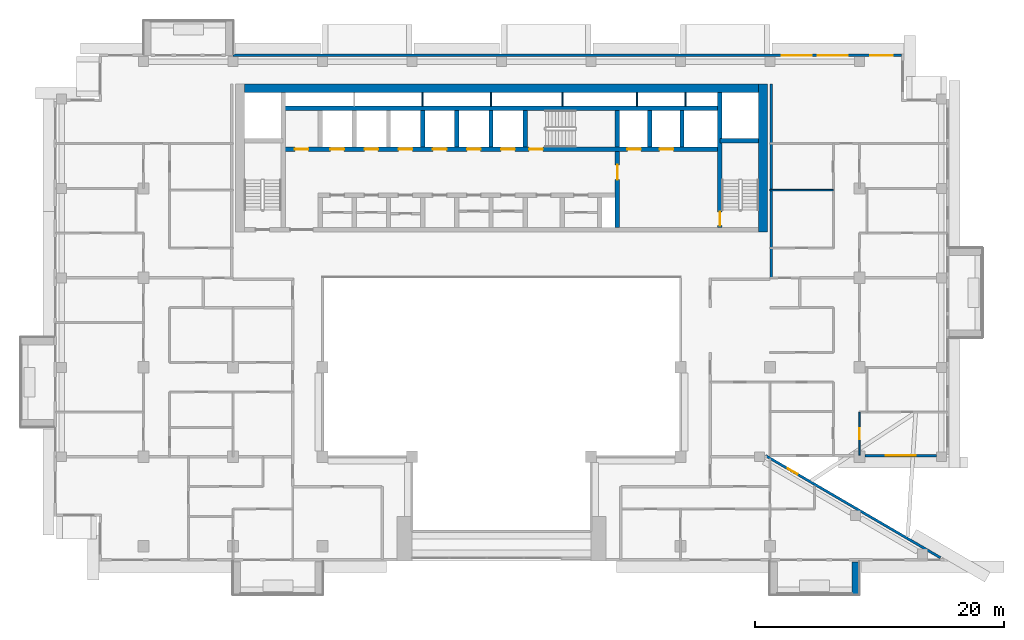
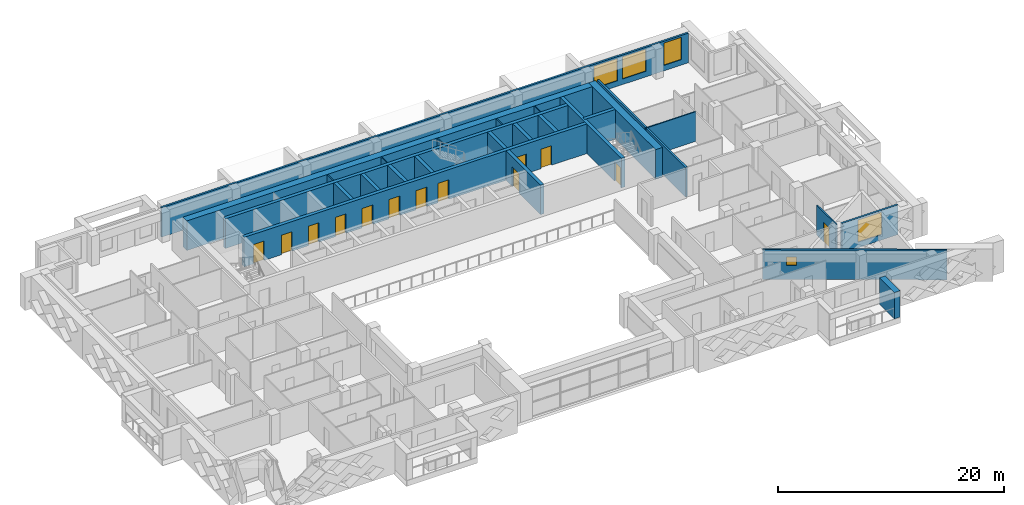
# One storey, part 11 of 20: 26 walls, 13 doors, 5 windows, 18 openings.
"""IFC4 building model written with IfcOpenShell, lengths in metres."""

from ifc_helpers import new_model, si_unit, direction, frame, frame_2d, origin, place, context, subcontext, project, spatial, rectangle, extrude, material, layer, layer_set, type_object, element, fill, save


model = new_model("IFC4")

# Units and contexts
model_context = context("Model", 3, precision=1e-05, world=origin(), true_north=direction((0.0, 1.0)))
body_context = subcontext(model_context, "Body", "Model", "MODEL_VIEW")
ifc_project = project(units=[si_unit("LENGTHUNIT", "METRE"), si_unit("AREAUNIT", "SQUARE_METRE"), si_unit("VOLUMEUNIT", "CUBIC_METRE"), si_unit("PLANEANGLEUNIT", "RADIAN"), si_unit("MASSUNIT", "GRAM", prefix="KILO")], contexts=[model_context])

# Site, building, storey
site_placement = place(None, origin())
site = spatial("IfcSite", under=ifc_project, at=site_placement, CompositionType="ELEMENT")
building_placement = place(site_placement, origin())
building = spatial("IfcBuilding", under=site, at=building_placement, Name="Saffron Iwan Residences", CompositionType="ELEMENT")
storey_placement = place(building_placement, frame((0.0, 0.0, 199.0)))
storey = spatial("IfcBuildingStorey", under=building, at=storey_placement, Name="L53", CompositionType="ELEMENT", Elevation=199.0)

# Wall
ifc_material_1 = material(Name="Concrete C50/60 white painted", Category="concrete")
ifc_layer_1 = layer(ifc_material_1, 0.60009765625)
ifc_layer_set_1 = layer_set([ifc_layer_1], Name="Concrete C50/60 white painted")
wall_type_1 = type_object("IfcWallType", Name="BALCONY FIN 600", PredefinedType="SOLIDWALL", material=ifc_layer_set_1)
wall_1_placement = place(storey_placement, frame((78.89990234375, 39.550048828125, 0.0), z_axis=(0.0, 0.0, 1.0), x_axis=(0.0, -1.0, 0.0)))
element("IfcWall", 1, at=wall_1_placement, inside=storey, type_object=wall_type_1, Name="Balcony fin L53 11-1b", PredefinedType="SOLIDWALL", context=body_context, shape_type="SweptSolid", body=[
    extrude(rectangle(XDim=2.650146484375, YDim=0.60009765625, at=frame_2d((1.3251953125, 0.0))), origin(), (0.0, 0.0, 1.0), 2.85009765625),
])

# Wall, opening, window
ifc_material_2 = material(Name="Concrete C40/50", Category="concrete")
ifc_layer_2 = layer(ifc_material_2, 0.199951171875)
ifc_layer_set_2 = layer_set([ifc_layer_2], Name="Concrete C40/50")
wall_type_2 = type_object("IfcWallType", Name="EXTERNAL WALL 200", PredefinedType="SOLIDWALL", material=ifc_layer_set_2)
wall_2_placement = place(storey_placement, frame((85.71923828125, 39.88134765625, 0.0), z_axis=(0.0, 0.0, 1.0), x_axis=(-0.86377618652, 0.503875678716, 0.0)))
wall_2 = element("IfcWall", 2, at=wall_2_placement, inside=storey, type_object=wall_type_2, Name="External wall L53 F0.0", PredefinedType="SOLIDWALL", context=body_context, shape_type="SweptSolid", body=[
    extrude(rectangle(XDim=16.31103515625, YDim=0.199951171875, at=frame_2d((8.155517578125, 0.0))), origin(), (0.0, 0.0, 1.0), 3.199951171875),
])
opening_1_placement = place(wall_2_placement, frame((13.32568359375, 0.0, 1.5)))
opening_1 = element("IfcOpeningElement", 3, at=opening_1_placement, cuts=wall_2, Name="Opening W6", PredefinedType="OPENING", context=body_context, shape_type="SweptSolid", body=[
    extrude(rectangle(XDim=0.89990234375, YDim=0.89990234375, at=frame_2d((0.449951171875, 0.449951171875))), frame((0.0, 0.10986328125, 0.0), z_axis=(0.0, -1.0, 0.0), x_axis=(1.0, 0.0, 0.0)), (0.0, 0.0, 1.0), 0.219970703125),
])
ifc_material_3 = material(Name="Clear glass, laminated double glazed", Category="glass")
window_type_1 = type_object("IfcWindowType", Name="WINDOW 900 x 900 BATH", PartitioningType="SINGLE_PANEL", PredefinedType="WINDOW", material=ifc_material_3)
window_1_placement = place(opening_1_placement, origin())
window_1 = element("IfcWindow", 4, at=window_1_placement, inside=storey, type_object=window_type_1, Name="Window L53 F0.0", OverallHeight=0.89990234375, OverallWidth=0.89990234375, PartitioningType="SINGLE_PANEL", PredefinedType="WINDOW", context=body_context, shape_type="SweptSolid", body=[
    extrude(rectangle(XDim=0.89990234375, YDim=0.89990234375, at=frame_2d((0.449951171875, 0.449951171875))), frame((0.0, 0.030029296875, 0.0), z_axis=(0.0, -1.0, 0.0), x_axis=(1.0, 0.0, 0.0)), (0.0, 0.0, 1.0), 0.06005859375),
])
fill(opening_1, window_1)

wall_3_placement = place(storey_placement, frame((79.64990234375, 48.10009765625, 0.0), z_axis=(0.0, 0.0, 1.0), x_axis=(1.0, 0.0, 0.0)))
wall_3 = element("IfcWall", 5, at=wall_3_placement, inside=storey, type_object=wall_type_2, Name="External wall L53 F1.1", PredefinedType="SOLIDWALL", context=body_context, shape_type="SweptSolid", body=[
    extrude(rectangle(XDim=5.75, YDim=0.199951171875, at=frame_2d((2.875, 0.0))), origin(), (0.0, 0.0, 1.0), 3.199951171875),
])
opening_2_placement = place(wall_3_placement, frame((1.675048828125, 0.0, 0.60009765625)))
opening_2 = element("IfcOpeningElement", 6, at=opening_2_placement, cuts=wall_3, Name="Opening W1", PredefinedType="OPENING", context=body_context, shape_type="SweptSolid", body=[
    extrude(rectangle(XDim=2.39990234375, YDim=2.39990234375, at=frame_2d((1.199951171875, 1.199951171875))), frame((0.0, 0.10986328125, 0.0), z_axis=(0.0, -1.0, 0.0), x_axis=(1.0, 0.0, 0.0)), (0.0, 0.0, 1.0), 0.219970703125),
])
window_type_2 = type_object("IfcWindowType", Name="WINDOW 2400 x 2400", PartitioningType="DOUBLE_PANEL_VERTICAL", PredefinedType="WINDOW", material=ifc_material_3)
window_2_placement = place(opening_2_placement, origin())
window_2 = element("IfcWindow", 7, at=window_2_placement, inside=storey, type_object=window_type_2, Name="Window L53 F1.0", OverallHeight=2.39990234375, OverallWidth=2.39990234375, PartitioningType="DOUBLE_PANEL_VERTICAL", PredefinedType="WINDOW", context=body_context, shape_type="SweptSolid", body=[
    extrude(rectangle(XDim=2.39990234375, YDim=2.39990234375, at=frame_2d((1.199951171875, 1.199951171875))), frame((0.0, 0.030029296875, 0.0), z_axis=(0.0, -1.0, 0.0), x_axis=(1.0, 0.0, 0.0)), (0.0, 0.0, 1.0), 0.06005859375),
])
fill(opening_2, window_2)

# Wall, openings, windows
wall_4_placement = place(storey_placement, frame((82.60009765625, 80.300048828125, 0.0), z_axis=(0.0, 0.0, 1.0), x_axis=(-1.0, 0.0, 0.0)))
wall_4 = element("IfcWall", 8, at=wall_4_placement, inside=storey, type_object=wall_type_2, Name="External wall L53 F5.0", PredefinedType="SOLIDWALL", context=body_context, shape_type="SweptSolid", body=[
    extrude(rectangle(XDim=53.800048828125, YDim=0.199951171875, at=frame_2d((26.89990234375, 0.0))), origin(), (0.0, 0.0, 1.0), 3.199951171875),
])
opening_3_placement = place(wall_4_placement, frame((0.72509765625, 0.0, 0.60009765625)))
opening_3 = element("IfcOpeningElement", 9, at=opening_3_placement, cuts=wall_4, Name="Opening W8", PredefinedType="OPENING", context=body_context, shape_type="SweptSolid", body=[
    extrude(rectangle(XDim=1.800048828125, YDim=2.39990234375, at=frame_2d((0.89990234375, 1.199951171875))), frame((0.0, 0.10986328125, 0.0), z_axis=(0.0, -1.0, 0.0), x_axis=(1.0, 0.0, 0.0)), (0.0, 0.0, 1.0), 0.219970703125),
])
opening_4_placement = place(wall_4_placement, frame((4.35009765625, 0.0, 0.60009765625)))
opening_4 = element("IfcOpeningElement", 10, at=opening_4_placement, cuts=wall_4, Name="Opening W1", PredefinedType="OPENING", context=body_context, shape_type="SweptSolid", body=[
    extrude(rectangle(XDim=2.39990234375, YDim=2.39990234375, at=frame_2d((1.199951171875, 1.199951171875))), frame((0.0, 0.10986328125, 0.0), z_axis=(0.0, -1.0, 0.0), x_axis=(1.0, 0.0, 0.0)), (0.0, 0.0, 1.0), 0.219970703125),
])
opening_5_placement = place(wall_4_placement, frame((7.25, 0.0, 0.60009765625)))
opening_5 = element("IfcOpeningElement", 11, at=opening_5_placement, cuts=wall_4, Name="Opening W1", PredefinedType="OPENING", context=body_context, shape_type="SweptSolid", body=[
    extrude(rectangle(XDim=2.39990234375, YDim=2.39990234375, at=frame_2d((1.199951171875, 1.199951171875))), frame((0.0, 0.10986328125, 0.0), z_axis=(0.0, -1.0, 0.0), x_axis=(1.0, 0.0, 0.0)), (0.0, 0.0, 1.0), 0.219970703125),
])
window_type_3 = type_object("IfcWindowType", Name="WINDOW 1800 x 2400", PartitioningType="DOUBLE_PANEL_VERTICAL", PredefinedType="WINDOW", material=ifc_material_3)
window_3_placement = place(opening_3_placement, origin())
window_3 = element("IfcWindow", 12, at=window_3_placement, inside=storey, type_object=window_type_3, Name="Window L53 F5.0", OverallHeight=2.39990234375, OverallWidth=1.800048828125, PartitioningType="DOUBLE_PANEL_VERTICAL", PredefinedType="WINDOW", context=body_context, shape_type="SweptSolid", body=[
    extrude(rectangle(XDim=1.800048828125, YDim=2.39990234375, at=frame_2d((0.89990234375, 1.199951171875))), frame((0.0, 0.030029296875, 0.0), z_axis=(0.0, -1.0, 0.0), x_axis=(1.0, 0.0, 0.0)), (0.0, 0.0, 1.0), 0.06005859375),
])
fill(opening_3, window_3)
window_4_placement = place(opening_4_placement, origin())
window_4 = element("IfcWindow", 13, at=window_4_placement, inside=storey, type_object=window_type_2, Name="Window L53 F5.1", OverallHeight=2.39990234375, OverallWidth=2.39990234375, PartitioningType="DOUBLE_PANEL_VERTICAL", PredefinedType="WINDOW", context=body_context, shape_type="SweptSolid", body=[
    extrude(rectangle(XDim=2.39990234375, YDim=2.39990234375, at=frame_2d((1.199951171875, 1.199951171875))), frame((0.0, 0.030029296875, 0.0), z_axis=(0.0, -1.0, 0.0), x_axis=(1.0, 0.0, 0.0)), (0.0, 0.0, 1.0), 0.06005859375),
])
fill(opening_4, window_4)
window_5_placement = place(opening_5_placement, origin())
window_5 = element("IfcWindow", 14, at=window_5_placement, inside=storey, type_object=window_type_2, Name="Window L53 F5.2", OverallHeight=2.39990234375, OverallWidth=2.39990234375, PartitioningType="DOUBLE_PANEL_VERTICAL", PredefinedType="WINDOW", context=body_context, shape_type="SweptSolid", body=[
    extrude(rectangle(XDim=2.39990234375, YDim=2.39990234375, at=frame_2d((1.199951171875, 1.199951171875))), frame((0.0, 0.030029296875, 0.0), z_axis=(0.0, -1.0, 0.0), x_axis=(1.0, 0.0, 0.0)), (0.0, 0.0, 1.0), 0.06005859375),
])
fill(opening_5, window_5)

# Wall
ifc_material_4 = material(Name="Gypsum board partition")
ifc_layer_3 = layer(ifc_material_4, 0.1201171875)
ifc_layer_set_3 = layer_set([ifc_layer_3], Name="Gypsum board partition")
wall_type_3 = type_object("IfcWallType", Name="Flat partition 120", PredefinedType="PARTITIONING", material=ifc_layer_set_3)
wall_5_placement = place(storey_placement, frame((72.0, 69.449951171875, 0.0), z_axis=(0.0, 0.0, 1.0), x_axis=(1.0, 0.0, 0.0)))
element("IfcWall", 15, at=wall_5_placement, inside=storey, type_object=wall_type_3, Name="W-L53-PART-h69.45-72", PredefinedType="PARTITIONING", context=body_context, shape_type="SweptSolid", body=[
    extrude(rectangle(XDim=5.10009765625, YDim=0.1201171875, at=frame_2d((2.550048828125, 0.0))), origin(), (0.0, 0.0, 1.0), 3.199951171875),
])

# Wall, opening, door
wall_6_placement = place(storey_placement, frame((79.199951171875, 48.125, 0.0), z_axis=(0.0, 0.0, 1.0), x_axis=(0.0, 1.0, 0.0)))
wall_6 = element("IfcWall", 16, at=wall_6_placement, inside=storey, type_object=wall_type_3, Name="W-L53-PART-v79.2-48.125", PredefinedType="PARTITIONING", context=body_context, shape_type="SweptSolid", body=[
    extrude(rectangle(XDim=3.47509765625, YDim=0.1201171875, at=frame_2d((1.737548828125, 0.0))), origin(), (0.0, 0.0, 1.0), 3.199951171875),
])
opening_6_placement = place(wall_6_placement, frame((1.28759765625, 0.0, 0.0)))
opening_6 = element("IfcOpeningElement", 17, at=opening_6_placement, cuts=wall_6, Name="Opening FD2", PredefinedType="OPENING", context=body_context, shape_type="SweptSolid", body=[
    extrude(rectangle(XDim=0.89990234375, YDim=2.10009765625, at=frame_2d((0.449951171875, 1.050048828125))), frame((0.0, 0.070068359375, 0.0), z_axis=(0.0, -1.0, 0.0), x_axis=(1.0, 0.0, 0.0)), (0.0, 0.0, 1.0), 0.14013671875),
])
ifc_material_5 = material(Name="Timber door", Category="wood")
door_type_1 = type_object("IfcDoorType", Name="Flat door 900", OperationType="NOTDEFINED", PredefinedType="DOOR", material=ifc_material_5)
door_1_placement = place(opening_6_placement, origin())
door_1 = element("IfcDoor", 18, at=door_1_placement, inside=storey, type_object=door_type_1, Name="Door L53-017", OperationType="SINGLE_SWING_RIGHT", OverallHeight=2.10009765625, OverallWidth=0.89990234375, PredefinedType="DOOR", context=body_context, shape_type="SweptSolid", body=[
    extrude(rectangle(XDim=0.89990234375, YDim=2.10009765625, at=frame_2d((0.449951171875, 1.050048828125))), frame((0.0, 0.02490234375, 0.0), z_axis=(0.0, -1.0, 0.0), x_axis=(1.0, 0.0, 0.0)), (0.0, 0.0, 1.0), 0.050048828125),
])
fill(opening_6, door_1)

# Walls
ifc_material_6 = material(Name="Fire-rated gypsum board wall")
ifc_layer_4 = layer(ifc_material_6, 0.199951171875)
ifc_layer_set_4 = layer_set([ifc_layer_4], Name="Fire-rated gypsum board wall")
wall_type_4 = type_object("IfcWallType", Name="Gallery wall 200", PredefinedType="SOLIDWALL", material=ifc_layer_set_4)
wall_7_placement = place(storey_placement, frame((72.10009765625, 62.39990234375, 0.0), z_axis=(0.0, 0.0, 1.0), x_axis=(0.0, 1.0, 0.0)))
element("IfcWall", 19, at=wall_7_placement, inside=storey, type_object=wall_type_4, Name="W-L53-CORR-v72-62.4", PredefinedType="SOLIDWALL", context=body_context, shape_type="SweptSolid", body=[
    extrude(rectangle(XDim=15.60009765625, YDim=0.199951171875, at=frame_2d((7.800048828125, 0.0))), origin(), (0.0, 0.0, 1.0), 3.199951171875),
])
ifc_material_7 = material(Name="Fire-rated plasterboard partition")
ifc_layer_5 = layer(ifc_material_7, 0.10009765625)
ifc_layer_set_5 = layer_set([ifc_layer_5], Name="Fire-rated plasterboard partition")
wall_type_5 = type_object("IfcWallType", Name="Riser partition 100", PredefinedType="PARTITIONING", material=ifc_layer_set_5)
for number, where, z_axis, x_axis, name in (
    (20, (44.050048828125, 76.22509765625, 0.0), (0.0, 0.0, 1.0), (0.0, 1.0, 0.0), "Core partition P08"),
    (21, (49.550048828125, 76.22509765625, 0.0), (0.0, 0.0, 1.0), (0.0, 1.0, 0.0), "Core partition P09"),
    (22, (55.300048828125, 76.22509765625, 0.0), (0.0, 0.0, 1.0), (0.0, 1.0, 0.0), "Core partition P10"),
    (23, (61.300048828125, 76.22509765625, 0.0), (0.0, 0.0, 1.0), (0.0, 1.0, 0.0), "Core partition P11"),
    (24, (65.199951171875, 76.22509765625, 0.0), (0.0, 0.0, 1.0), (0.0, 1.0, 0.0), "Core partition P12"),
):
    element("IfcWall", number, at=place(storey_placement, frame(where, z_axis=z_axis, x_axis=x_axis)), inside=storey, type_object=wall_type_5, Name=name, PredefinedType="PARTITIONING", context=body_context, shape_type="SweptSolid", body=[
        extrude(rectangle(XDim=1.074951171875, YDim=0.10009765625, at=frame_2d((0.53759765625, 0.0))), origin(), (0.0, 0.0, 1.0), 3.199951171875),
    ])

# Wall, openings, doors
ifc_material_8 = material(Name="Concrete C50/60", Category="concrete")
ifc_layer_6 = layer(ifc_material_8, 0.35009765625)
ifc_layer_set_6 = layer_set([ifc_layer_6], Name="Concrete C50/60")
wall_type_6 = type_object("IfcWallType", Name="WALL CORE 350 C50/60 3200 HIGH", PredefinedType="SHEAR", material=ifc_layer_set_6)
wall_8_placement = place(storey_placement, frame((32.824951171875, 72.75, 0.0), z_axis=(0.0, 0.0, 1.0), x_axis=(1.0, 0.0, 0.0)))
wall_8 = element("IfcWall", 25, at=wall_8_placement, inside=storey, type_object=wall_type_6, Name="Core wall", PredefinedType="SHEAR", context=body_context, shape_type="SweptSolid", body=[
    extrude(rectangle(XDim=35.150146484375, YDim=0.35009765625, at=frame_2d((17.5751953125, 0.0))), origin(), (0.0, 0.0, 1.0), 3.199951171875),
])
opening_7_placement = place(wall_8_placement, frame((19.800048828125, 0.0, 0.0)))
opening_7 = element("IfcOpeningElement", 26, at=opening_7_placement, cuts=wall_8, Name="Opening SD", PredefinedType="OPENING", context=body_context, shape_type="SweptSolid", body=[
    extrude(rectangle(XDim=1.10009765625, YDim=2.10009765625, at=frame_2d((0.550048828125, 1.050048828125))), frame((0.0, 0.18505859375, 0.0), z_axis=(0.0, -1.0, 0.0), x_axis=(1.0, 0.0, 0.0)), (0.0, 0.0, 1.0), 0.3701171875),
])
opening_8_placement = place(wall_8_placement, frame((27.699951171875, 0.0, 0.0)))
opening_8 = element("IfcOpeningElement", 27, at=opening_8_placement, cuts=wall_8, Name="Opening LD", PredefinedType="OPENING", context=body_context, shape_type="SweptSolid", body=[
    extrude(rectangle(XDim=1.10009765625, YDim=2.10009765625, at=frame_2d((0.550048828125, 1.050048828125))), frame((0.0, 0.18505859375, 0.0), z_axis=(0.0, -1.0, 0.0), x_axis=(1.0, 0.0, 0.0)), (0.0, 0.0, 1.0), 0.3701171875),
])
opening_9_placement = place(wall_8_placement, frame((30.300048828125, 0.0, 0.0)))
opening_9 = element("IfcOpeningElement", 28, at=opening_9_placement, cuts=wall_8, Name="Opening LD", PredefinedType="OPENING", context=body_context, shape_type="SweptSolid", body=[
    extrude(rectangle(XDim=1.10009765625, YDim=2.10009765625, at=frame_2d((0.550048828125, 1.050048828125))), frame((0.0, 0.18505859375, 0.0), z_axis=(0.0, -1.0, 0.0), x_axis=(1.0, 0.0, 0.0)), (0.0, 0.0, 1.0), 0.3701171875),
])
opening_10_placement = place(wall_8_placement, frame((3.800048828125, 0.0, 0.0)))
opening_10 = element("IfcOpeningElement", 29, at=opening_10_placement, cuts=wall_8, Name="Opening LD", PredefinedType="OPENING", context=body_context, shape_type="SweptSolid", body=[
    extrude(rectangle(XDim=1.10009765625, YDim=2.10009765625, at=frame_2d((0.550048828125, 1.050048828125))), frame((0.0, 0.18505859375, 0.0), z_axis=(0.0, -1.0, 0.0), x_axis=(1.0, 0.0, 0.0)), (0.0, 0.0, 1.0), 0.3701171875),
])
opening_11_placement = place(wall_8_placement, frame((6.550048828125, 0.0, 0.0)))
opening_11 = element("IfcOpeningElement", 30, at=opening_11_placement, cuts=wall_8, Name="Opening LD", PredefinedType="OPENING", context=body_context, shape_type="SweptSolid", body=[
    extrude(rectangle(XDim=1.10009765625, YDim=2.10009765625, at=frame_2d((0.550048828125, 1.050048828125))), frame((0.0, 0.18505859375, 0.0), z_axis=(0.0, -1.0, 0.0), x_axis=(1.0, 0.0, 0.0)), (0.0, 0.0, 1.0), 0.3701171875),
])
opening_12_placement = place(wall_8_placement, frame((9.300048828125, 0.0, 0.0)))
opening_12 = element("IfcOpeningElement", 31, at=opening_12_placement, cuts=wall_8, Name="Opening LD", PredefinedType="OPENING", context=body_context, shape_type="SweptSolid", body=[
    extrude(rectangle(XDim=1.10009765625, YDim=2.10009765625, at=frame_2d((0.550048828125, 1.050048828125))), frame((0.0, 0.18505859375, 0.0), z_axis=(0.0, -1.0, 0.0), x_axis=(1.0, 0.0, 0.0)), (0.0, 0.0, 1.0), 0.3701171875),
])
opening_13_placement = place(wall_8_placement, frame((12.050048828125, 0.0, 0.0)))
opening_13 = element("IfcOpeningElement", 32, at=opening_13_placement, cuts=wall_8, Name="Opening LD", PredefinedType="OPENING", context=body_context, shape_type="SweptSolid", body=[
    extrude(rectangle(XDim=1.10009765625, YDim=2.10009765625, at=frame_2d((0.550048828125, 1.050048828125))), frame((0.0, 0.18505859375, 0.0), z_axis=(0.0, -1.0, 0.0), x_axis=(1.0, 0.0, 0.0)), (0.0, 0.0, 1.0), 0.3701171875),
])
opening_14_placement = place(wall_8_placement, frame((14.800048828125, 0.0, 0.0)))
opening_14 = element("IfcOpeningElement", 33, at=opening_14_placement, cuts=wall_8, Name="Opening LD", PredefinedType="OPENING", context=body_context, shape_type="SweptSolid", body=[
    extrude(rectangle(XDim=1.10009765625, YDim=2.10009765625, at=frame_2d((0.550048828125, 1.050048828125))), frame((0.0, 0.18505859375, 0.0), z_axis=(0.0, -1.0, 0.0), x_axis=(1.0, 0.0, 0.0)), (0.0, 0.0, 1.0), 0.3701171875),
])
opening_15_placement = place(wall_8_placement, frame((17.550048828125, 0.0, 0.0)))
opening_15 = element("IfcOpeningElement", 34, at=opening_15_placement, cuts=wall_8, Name="Opening LD", PredefinedType="OPENING", context=body_context, shape_type="SweptSolid", body=[
    extrude(rectangle(XDim=1.10009765625, YDim=2.10009765625, at=frame_2d((0.550048828125, 1.050048828125))), frame((0.0, 0.18505859375, 0.0), z_axis=(0.0, -1.0, 0.0), x_axis=(1.0, 0.0, 0.0)), (0.0, 0.0, 1.0), 0.3701171875),
])
opening_16_placement = place(wall_8_placement, frame((0.9375, 0.0, 0.0)))
opening_16 = element("IfcOpeningElement", 35, at=opening_16_placement, cuts=wall_8, Name="Opening SR", PredefinedType="OPENING", context=body_context, shape_type="SweptSolid", body=[
    extrude(rectangle(XDim=1.10009765625, YDim=2.10009765625, at=frame_2d((0.550048828125, 1.050048828125))), frame((0.0, 0.18505859375, 0.0), z_axis=(0.0, -1.0, 0.0), x_axis=(1.0, 0.0, 0.0)), (0.0, 0.0, 1.0), 0.3701171875),
])
ifc_material_9 = material(Name="Steel fire door", Category="steel")
door_type_2 = type_object("IfcDoorType", Name="Lift landing door 1100", OperationType="SLIDING_TO_LEFT", PredefinedType="DOOR", material=ifc_material_9)
door_2_placement = place(opening_8_placement, origin())
door_2 = element("IfcDoor", 36, at=door_2_placement, inside=storey, type_object=door_type_2, Name="Landing doors FF1", OperationType="SLIDING_TO_LEFT", OverallHeight=2.10009765625, OverallWidth=1.10009765625, PredefinedType="DOOR", context=body_context, shape_type="SweptSolid", body=[
    extrude(rectangle(XDim=1.10009765625, YDim=2.10009765625, at=frame_2d((0.550048828125, 1.050048828125))), frame((0.0, 0.02490234375, 0.0), z_axis=(0.0, -1.0, 0.0), x_axis=(1.0, 0.0, 0.0)), (0.0, 0.0, 1.0), 0.050048828125),
])
fill(opening_8, door_2)
door_3_placement = place(opening_9_placement, origin())
door_3 = element("IfcDoor", 37, at=door_3_placement, inside=storey, type_object=door_type_2, Name="Landing doors FF2", OperationType="SLIDING_TO_LEFT", OverallHeight=2.10009765625, OverallWidth=1.10009765625, PredefinedType="DOOR", context=body_context, shape_type="SweptSolid", body=[
    extrude(rectangle(XDim=1.10009765625, YDim=2.10009765625, at=frame_2d((0.550048828125, 1.050048828125))), frame((0.0, 0.02490234375, 0.0), z_axis=(0.0, -1.0, 0.0), x_axis=(1.0, 0.0, 0.0)), (0.0, 0.0, 1.0), 0.050048828125),
])
fill(opening_9, door_3)
door_4_placement = place(opening_10_placement, origin())
door_4 = element("IfcDoor", 38, at=door_4_placement, inside=storey, type_object=door_type_2, Name="Landing doors HR1", OperationType="SLIDING_TO_LEFT", OverallHeight=2.10009765625, OverallWidth=1.10009765625, PredefinedType="DOOR", context=body_context, shape_type="SweptSolid", body=[
    extrude(rectangle(XDim=1.10009765625, YDim=2.10009765625, at=frame_2d((0.550048828125, 1.050048828125))), frame((0.0, 0.02490234375, 0.0), z_axis=(0.0, -1.0, 0.0), x_axis=(1.0, 0.0, 0.0)), (0.0, 0.0, 1.0), 0.050048828125),
])
fill(opening_10, door_4)
door_5_placement = place(opening_11_placement, origin())
door_5 = element("IfcDoor", 39, at=door_5_placement, inside=storey, type_object=door_type_2, Name="Landing doors HR2", OperationType="SLIDING_TO_LEFT", OverallHeight=2.10009765625, OverallWidth=1.10009765625, PredefinedType="DOOR", context=body_context, shape_type="SweptSolid", body=[
    extrude(rectangle(XDim=1.10009765625, YDim=2.10009765625, at=frame_2d((0.550048828125, 1.050048828125))), frame((0.0, 0.02490234375, 0.0), z_axis=(0.0, -1.0, 0.0), x_axis=(1.0, 0.0, 0.0)), (0.0, 0.0, 1.0), 0.050048828125),
])
fill(opening_11, door_5)
door_6_placement = place(opening_12_placement, origin())
door_6 = element("IfcDoor", 40, at=door_6_placement, inside=storey, type_object=door_type_2, Name="Landing doors HR3", OperationType="SLIDING_TO_LEFT", OverallHeight=2.10009765625, OverallWidth=1.10009765625, PredefinedType="DOOR", context=body_context, shape_type="SweptSolid", body=[
    extrude(rectangle(XDim=1.10009765625, YDim=2.10009765625, at=frame_2d((0.550048828125, 1.050048828125))), frame((0.0, 0.02490234375, 0.0), z_axis=(0.0, -1.0, 0.0), x_axis=(1.0, 0.0, 0.0)), (0.0, 0.0, 1.0), 0.050048828125),
])
fill(opening_12, door_6)
door_7_placement = place(opening_13_placement, origin())
door_7 = element("IfcDoor", 41, at=door_7_placement, inside=storey, type_object=door_type_2, Name="Landing doors HR4", OperationType="SLIDING_TO_LEFT", OverallHeight=2.10009765625, OverallWidth=1.10009765625, PredefinedType="DOOR", context=body_context, shape_type="SweptSolid", body=[
    extrude(rectangle(XDim=1.10009765625, YDim=2.10009765625, at=frame_2d((0.550048828125, 1.050048828125))), frame((0.0, 0.02490234375, 0.0), z_axis=(0.0, -1.0, 0.0), x_axis=(1.0, 0.0, 0.0)), (0.0, 0.0, 1.0), 0.050048828125),
])
fill(opening_13, door_7)
door_8_placement = place(opening_14_placement, origin())
door_8 = element("IfcDoor", 42, at=door_8_placement, inside=storey, type_object=door_type_2, Name="Landing doors HR5", OperationType="SLIDING_TO_LEFT", OverallHeight=2.10009765625, OverallWidth=1.10009765625, PredefinedType="DOOR", context=body_context, shape_type="SweptSolid", body=[
    extrude(rectangle(XDim=1.10009765625, YDim=2.10009765625, at=frame_2d((0.550048828125, 1.050048828125))), frame((0.0, 0.02490234375, 0.0), z_axis=(0.0, -1.0, 0.0), x_axis=(1.0, 0.0, 0.0)), (0.0, 0.0, 1.0), 0.050048828125),
])
fill(opening_14, door_8)
door_9_placement = place(opening_15_placement, origin())
door_9 = element("IfcDoor", 43, at=door_9_placement, inside=storey, type_object=door_type_2, Name="Landing doors HR6", OperationType="SLIDING_TO_LEFT", OverallHeight=2.10009765625, OverallWidth=1.10009765625, PredefinedType="DOOR", context=body_context, shape_type="SweptSolid", body=[
    extrude(rectangle(XDim=1.10009765625, YDim=2.10009765625, at=frame_2d((0.550048828125, 1.050048828125))), frame((0.0, 0.02490234375, 0.0), z_axis=(0.0, -1.0, 0.0), x_axis=(1.0, 0.0, 0.0)), (0.0, 0.0, 1.0), 0.050048828125),
])
fill(opening_15, door_9)
door_type_3 = type_object("IfcDoorType", Name="Service door 1100", OperationType="NOTDEFINED", PredefinedType="DOOR", material=ifc_material_9)
door_10_placement = place(opening_16_placement, origin())
door_10 = element("IfcDoor", 44, at=door_10_placement, inside=storey, type_object=door_type_3, Name="Door Cleaner's store", OperationType="SINGLE_SWING_LEFT", OverallHeight=2.10009765625, OverallWidth=1.10009765625, PredefinedType="DOOR", context=body_context, shape_type="SweptSolid", body=[
    extrude(rectangle(XDim=1.10009765625, YDim=2.10009765625, at=frame_2d((0.550048828125, 1.050048828125))), frame((0.0, 0.02490234375, 0.0), z_axis=(0.0, -1.0, 0.0), x_axis=(1.0, 0.0, 0.0)), (0.0, 0.0, 1.0), 0.050048828125),
])
fill(opening_16, door_10)
door_type_4 = type_object("IfcDoorType", Name="Stair door 1100", OperationType="NOTDEFINED", PredefinedType="DOOR", material=ifc_material_9)
door_11_placement = place(opening_7_placement, origin())
door_11 = element("IfcDoor", 45, at=door_11_placement, inside=storey, type_object=door_type_4, Name="Stair door ST-C", OperationType="SINGLE_SWING_LEFT", OverallHeight=2.10009765625, OverallWidth=1.10009765625, PredefinedType="DOOR", context=body_context, shape_type="SweptSolid", body=[
    extrude(rectangle(XDim=1.10009765625, YDim=2.10009765625, at=frame_2d((0.550048828125, 1.050048828125))), frame((0.0, 0.02490234375, 0.0), z_axis=(0.0, -1.0, 0.0), x_axis=(1.0, 0.0, 0.0)), (0.0, 0.0, 1.0), 0.050048828125),
])
fill(opening_7, door_11)

# Walls
wall_9_placement = place(storey_placement, frame((32.824951171875, 76.050048828125, 0.0), z_axis=(0.0, 0.0, 1.0), x_axis=(1.0, 0.0, 0.0)))
element("IfcWall", 46, at=wall_9_placement, inside=storey, type_object=wall_type_6, Name="Core wall", PredefinedType="SHEAR", context=body_context, shape_type="SweptSolid", body=[
    extrude(rectangle(XDim=35.150146484375, YDim=0.35009765625, at=frame_2d((17.5751953125, 0.0))), origin(), (0.0, 0.0, 1.0), 3.199951171875),
])
wall_10_placement = place(storey_placement, frame((67.97509765625, 73.425048828125, 0.0), z_axis=(0.0, 0.0, 1.0), x_axis=(1.0, 0.0, 0.0)))
element("IfcWall", 47, at=wall_10_placement, inside=storey, type_object=wall_type_6, Name="Core wall", PredefinedType="SHEAR", context=body_context, shape_type="SweptSolid", body=[
    extrude(rectangle(XDim=3.125, YDim=0.35009765625, at=frame_2d((1.5625, 0.0))), origin(), (0.0, 0.0, 1.0), 3.199951171875),
])

# Wall, opening, door
wall_11_placement = place(storey_placement, frame((67.97509765625, 66.449951171875, 0.0), z_axis=(0.0, 0.0, 1.0), x_axis=(0.0, 1.0, 0.0)))
wall_11 = element("IfcWall", 48, at=wall_11_placement, inside=storey, type_object=wall_type_6, Name="Core wall", PredefinedType="SHEAR", context=body_context, shape_type="SweptSolid", body=[
    extrude(rectangle(XDim=10.85009765625, YDim=0.35009765625, at=frame_2d((5.425048828125, 0.0))), origin(), (0.0, 0.0, 1.0), 3.199951171875),
])
opening_17_placement = place(wall_11_placement, frame((0.14990234375, 0.0, 0.0)))
opening_17 = element("IfcOpeningElement", 49, at=opening_17_placement, cuts=wall_11, Name="Opening SD", PredefinedType="OPENING", context=body_context, shape_type="SweptSolid", body=[
    extrude(rectangle(XDim=1.10009765625, YDim=2.10009765625, at=frame_2d((0.550048828125, 1.050048828125))), frame((0.0, 0.18505859375, 0.0), z_axis=(0.0, -1.0, 0.0), x_axis=(1.0, 0.0, 0.0)), (0.0, 0.0, 1.0), 0.3701171875),
])
door_12_placement = place(opening_17_placement, origin())
door_12 = element("IfcDoor", 50, at=door_12_placement, inside=storey, type_object=door_type_4, Name="Stair door ST-E", OperationType="SINGLE_SWING_LEFT", OverallHeight=2.10009765625, OverallWidth=1.10009765625, PredefinedType="DOOR", context=body_context, shape_type="SweptSolid", body=[
    extrude(rectangle(XDim=1.10009765625, YDim=2.10009765625, at=frame_2d((0.550048828125, 1.050048828125))), frame((0.0, 0.02490234375, 0.0), z_axis=(0.0, -1.0, 0.0), x_axis=(1.0, 0.0, 0.0)), (0.0, 0.0, 1.0), 0.050048828125),
])
fill(opening_17, door_12)

wall_12_placement = place(storey_placement, frame((59.72509765625, 66.449951171875, 0.0), z_axis=(0.0, 0.0, 1.0), x_axis=(0.0, 1.0, 0.0)))
wall_12 = element("IfcWall", 51, at=wall_12_placement, inside=storey, type_object=wall_type_6, Name="Core wall", PredefinedType="SHEAR", context=body_context, shape_type="SweptSolid", body=[
    extrude(rectangle(XDim=6.125, YDim=0.35009765625, at=frame_2d((3.0625, 0.0))), origin(), (0.0, 0.0, 1.0), 3.199951171875),
])
opening_18_placement = place(wall_12_placement, frame((3.85009765625, 0.0, 0.0)))
opening_18 = element("IfcOpeningElement", 52, at=opening_18_placement, cuts=wall_12, Name="Opening FD", PredefinedType="OPENING", context=body_context, shape_type="SweptSolid", body=[
    extrude(rectangle(XDim=1.199951171875, YDim=2.10009765625, at=frame_2d((0.60009765625, 1.050048828125))), frame((0.0, 0.18505859375, 0.0), z_axis=(0.0, -1.0, 0.0), x_axis=(1.0, 0.0, 0.0)), (0.0, 0.0, 1.0), 0.3701171875),
])
door_type_5 = type_object("IfcDoorType", Name="Firefighting lobby door 1200", OperationType="NOTDEFINED", PredefinedType="DOOR", material=ifc_material_9)
door_13_placement = place(opening_18_placement, origin())
door_13 = element("IfcDoor", 53, at=door_13_placement, inside=storey, type_object=door_type_5, Name="Firefighting lobby door", OperationType="SINGLE_SWING_LEFT", OverallHeight=2.10009765625, OverallWidth=1.199951171875, PredefinedType="DOOR", context=body_context, shape_type="SweptSolid", body=[
    extrude(rectangle(XDim=1.199951171875, YDim=2.10009765625, at=frame_2d((0.60009765625, 1.050048828125))), frame((0.0, 0.02490234375, 0.0), z_axis=(0.0, -1.0, 0.0), x_axis=(1.0, 0.0, 0.0)), (0.0, 0.0, 1.0), 0.050048828125),
])
fill(opening_18, door_13)

# Walls
for number, where, z_axis, x_axis, name in (
    (54, (59.72509765625, 72.925048828125, 0.0), (0.0, 0.0, 1.0), (0.0, 1.0, 0.0), "Core wall"),
    (55, (44.050048828125, 72.925048828125, 0.0), (0.0, 0.0, 1.0), (0.0, 1.0, 0.0), "Core wall"),
    (56, (46.800048828125, 72.925048828125, 0.0), (0.0, 0.0, 1.0), (0.0, 1.0, 0.0), "Core wall"),
    (57, (49.550048828125, 72.925048828125, 0.0), (0.0, 0.0, 1.0), (0.0, 1.0, 0.0), "Core wall"),
    (58, (52.300048828125, 72.925048828125, 0.0), (0.0, 0.0, 1.0), (0.0, 1.0, 0.0), "Core wall"),
    (59, (62.324951171875, 72.925048828125, 0.0), (0.0, 0.0, 1.0), (0.0, 1.0, 0.0), "Core wall"),
    (60, (64.925048828125, 72.925048828125, 0.0), (0.0, 0.0, 1.0), (0.0, 1.0, 0.0), "Core wall"),
):
    element("IfcWall", number, at=place(storey_placement, frame(where, z_axis=z_axis, x_axis=x_axis)), inside=storey, type_object=wall_type_6, Name=name, PredefinedType="SHEAR", context=body_context, shape_type="SweptSolid", body=[
        extrude(rectangle(XDim=2.949951171875, YDim=0.35009765625, at=frame_2d((1.47509765625, 0.0))), origin(), (0.0, 0.0, 1.0), 3.199951171875),
    ])
ifc_layer_7 = layer(ifc_material_8, 0.699951171875)
ifc_layer_set_7 = layer_set([ifc_layer_7], Name="Concrete C50/60")
wall_type_7 = type_object("IfcWallType", Name="WALL CORE 700 C50/60 3200 HIGH", PredefinedType="SHEAR", material=ifc_layer_set_7)
wall_13_placement = place(storey_placement, frame((71.449951171875, 66.10009765625, 0.0), z_axis=(0.0, 0.0, 1.0), x_axis=(0.0, 1.0, 0.0)))
element("IfcWall", 61, at=wall_13_placement, inside=storey, type_object=wall_type_7, Name="Core wall", PredefinedType="SHEAR", context=body_context, shape_type="SweptSolid", body=[
    extrude(rectangle(XDim=11.89990234375, YDim=0.699951171875, at=frame_2d((5.949951171875, 0.0))), origin(), (0.0, 0.0, 1.0), 3.199951171875),
])
wall_14_placement = place(storey_placement, frame((29.699951171875, 77.64990234375, 0.0), z_axis=(0.0, 0.0, 1.0), x_axis=(1.0, 0.0, 0.0)))
element("IfcWall", 62, at=wall_14_placement, inside=storey, type_object=wall_type_7, Name="Core wall", PredefinedType="SHEAR", context=body_context, shape_type="SweptSolid", body=[
    extrude(rectangle(XDim=41.400146484375, YDim=0.699951171875, at=frame_2d((20.7001953125, 0.0))), origin(), (0.0, 0.0, 1.0), 3.199951171875),
])

save(model, "model.ifc")
